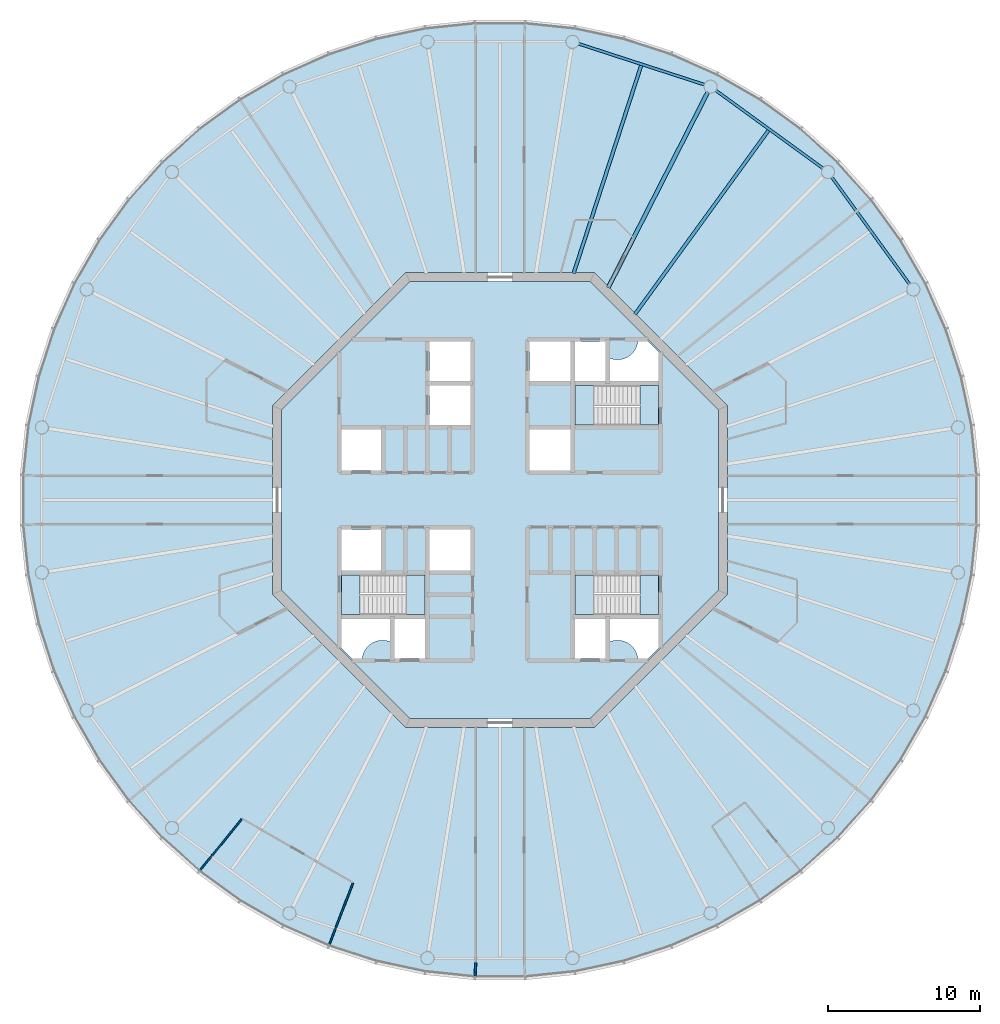
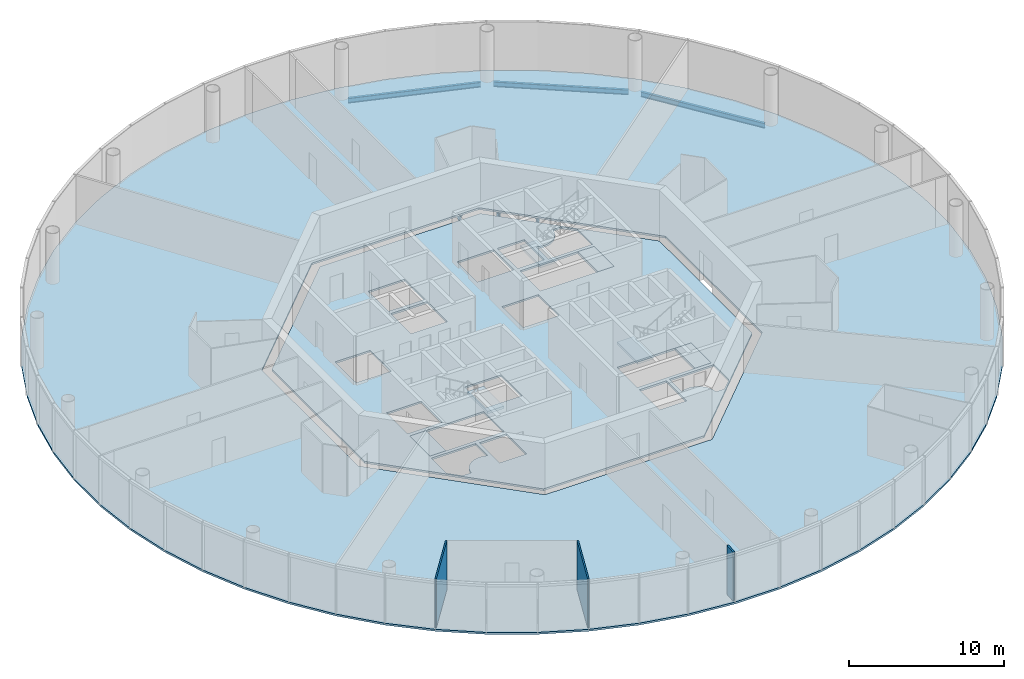
# One storey, part 2 of 13: 8 slabs, 6 beams, 3 walls, 3 elements without a shape of their own.
"""IFC4 building model written with IfcOpenShell, lengths in metres."""

from ifc_helpers import new_model, si_unit, direction, frame, frame_2d, origin, origin_2d, place, context, subcontext, project, spatial, polyline, rectangle, i_section, outline, extrude, material, layer, layer_set, material_profile, profile_set, type_object, element, aggregate, save


model = new_model("IFC4")

# Units and contexts
model_context = context("Model", 3, precision=1e-05, world=origin(), true_north=direction((0.0, 1.0)))
body_context = subcontext(model_context, "Body", "Model", "MODEL_VIEW")
ifc_project = project(units=[si_unit("LENGTHUNIT", "METRE"), si_unit("AREAUNIT", "SQUARE_METRE"), si_unit("VOLUMEUNIT", "CUBIC_METRE"), si_unit("PLANEANGLEUNIT", "RADIAN"), si_unit("MASSUNIT", "GRAM", prefix="KILO")], contexts=[model_context])

# Site, building, storey
site_placement = place(None, origin())
site = spatial("IfcSite", under=ifc_project, at=site_placement, CompositionType="ELEMENT")
building_placement = place(site_placement, origin())
building = spatial("IfcBuilding", under=site, at=building_placement, Name="Entoto Ring Tower", CompositionType="ELEMENT")
storey_placement = place(building_placement, frame((0.0, 0.0, 340.0)))
storey = spatial("IfcBuildingStorey", under=building, at=storey_placement, Name="L78", CompositionType="ELEMENT", Elevation=340.0)

# Beams
ifc_material_1 = material(Name="Steel S355", Category="steel")
ifc_material_profile_1 = material_profile(ifc_material_1, i_section(OverallWidth=0.179931640625, OverallDepth=0.39990234375, WebThickness=0.008544921875, FlangeThickness=0.013427734375, FilletRadius=0.02099609375, at=origin_2d()), Name="IPE 400")
ifc_profile_set_1 = profile_set([ifc_material_profile_1], Name="Steel S355")
beam_type_1 = type_object("IfcBeamType", Name="Edge beam IPE 400", PredefinedType="SPANDREL", material=ifc_profile_set_1)
for number, where, z_axis, x_axis, name in (
    (1, (117.017333984375, 94.232666015625, -0.35009765625), (-0.587794254874, 0.80901045354, 0.0), (-0.80901045354, -0.587794254874, 0.0), "Edge beam L78 02"),
    (2, (111.296875, 101.884765625, -0.35009765625), (-0.80901045354, 0.587794254874, 0.0), (-0.587794254874, -0.80901045354, 0.0), "Edge beam L78 03"),
):
    element("IfcBeam", number, at=place(storey_placement, frame(where, z_axis=z_axis, x_axis=x_axis)), inside=storey, type_object=beam_type_1, Name=name, PredefinedType="SPANDREL", context=body_context, shape_type="SweptSolid", body=[
        extrude(i_section(OverallWidth=0.179931640625, OverallDepth=0.39990234375, WebThickness=0.008544921875, FlangeThickness=0.013427734375, FilletRadius=0.02099609375, at=origin_2d()), origin(), (0.0, 0.0, 1.0), 8.73193359375),
    ])
beam_1_placement = place(storey_placement, frame((103.491943359375, 107.394775390625, -0.35009765625), z_axis=(-0.951052147972, 0.309030438368, 0.0), x_axis=(-0.309030438368, -0.951052147972, 0.0)))
element("IfcBeam", 3, at=beam_1_placement, inside=storey, type_object=beam_type_1, Name="Edge beam L78 04", PredefinedType="SPANDREL", context=body_context, shape_type="SweptSolid", body=[
    extrude(i_section(OverallWidth=0.179931640625, OverallDepth=0.39990234375, WebThickness=0.008544921875, FlangeThickness=0.013427734375, FilletRadius=0.02099609375, at=origin_2d()), origin(), (0.0, 0.0, 1.0), 8.732177734375),
])
ifc_material_2 = material(Name="Steel S355", Category="steel")
ifc_material_profile_2 = material_profile(ifc_material_2, i_section(OverallWidth=0.262939453125, OverallDepth=0.7529296875, WebThickness=0.011474609375, FlangeThickness=0.01708984375, FilletRadius=0.01708984375, at=origin_2d()), Name="IPE 750 x 137")
ifc_profile_set_2 = profile_set([ifc_material_profile_2], Name="Steel S355")
beam_type_2 = type_object("IfcBeamType", Name="Primary floor beam IPE 750 x 137", PredefinedType="BEAM", material=ifc_profile_set_2)
beam_2_placement = place(storey_placement, frame((97.1318359375, 93.9970703125, -0.526611328125), z_axis=(0.453991952968, 0.89100578373, 0.0), x_axis=(-0.89100578373, 0.453991952968, 0.0)))
element("IfcBeam", 4, at=beam_2_placement, inside=storey, type_object=beam_type_2, Name="Primary L78 R04", PredefinedType="BEAM", context=body_context, shape_type="SweptSolid", body=[
    extrude(i_section(OverallWidth=0.262939453125, OverallDepth=0.7529296875, WebThickness=0.011474609375, FlangeThickness=0.01708984375, FilletRadius=0.01708984375, at=origin_2d()), origin(), (0.0, 0.0, 1.0), 14.48046875),
])
ifc_material_3 = material(Name="Steel S355", Category="steel")
ifc_material_profile_3 = material_profile(ifc_material_3, i_section(OverallWidth=0.219970703125, OverallDepth=0.60009765625, WebThickness=0.011962890625, FlangeThickness=0.01904296875, FilletRadius=0.02392578125, at=origin_2d()), Name="IPE 600")
ifc_profile_set_3 = profile_set([ifc_material_profile_3], Name="Steel S355")
beam_type_3 = type_object("IfcBeamType", Name="Secondary floor beam IPE 600", PredefinedType="JOIST", material=ifc_profile_set_3)
beam_3_placement = place(storey_placement, frame((98.90478515625, 92.25634765625, -0.449951171875), z_axis=(0.587782163866, 0.809019238239, 0.0), x_axis=(-0.809019238239, 0.587782163866, 0.0)))
element("IfcBeam", 5, at=beam_3_placement, inside=storey, type_object=beam_type_3, Name="Secondary beam L78 03", PredefinedType="JOIST", context=body_context, shape_type="SweptSolid", body=[
    extrude(i_section(OverallWidth=0.219970703125, OverallDepth=0.60009765625, WebThickness=0.011962890625, FlangeThickness=0.01904296875, FilletRadius=0.02392578125, at=origin_2d()), origin(), (0.0, 0.0, 1.0), 14.983642578125),
])
beam_4_placement = place(storey_placement, frame((94.856689453125, 94.947021484375, -0.449951171875), z_axis=(0.309014850288, 0.951057212949, 0.0), x_axis=(-0.951057212949, 0.309014850288, 0.0)))
element("IfcBeam", 6, at=beam_4_placement, inside=storey, type_object=beam_type_3, Name="Secondary beam L78 04", PredefinedType="JOIST", context=body_context, shape_type="SweptSolid", body=[
    extrude(i_section(OverallWidth=0.219970703125, OverallDepth=0.60009765625, WebThickness=0.011962890625, FlangeThickness=0.01904296875, FilletRadius=0.02392578125, at=origin_2d()), origin(), (0.0, 0.0, 1.0), 14.4169921875),
])

# Slabs
ifc_material_4 = material(Name="Concrete C30/37", Category="concrete")
ifc_layer_1 = layer(ifc_material_4, 0.14990234375)
ifc_layer_set_1 = layer_set([ifc_layer_1], Name="Concrete C30/37")
slab_type_1 = type_object("IfcSlabType", Name="Composite floor slab 150 mm", PredefinedType="FLOOR", material=ifc_layer_set_1)
slab_1_placement = place(storey_placement, frame((0.0, 0.0, -0.14990234375)))
element("IfcSlab", 7, at=slab_1_placement, inside=storey, type_object=slab_type_1, Name="Floor slab L78", PredefinedType="FLOOR", context=body_context, shape_type="SweptSolid", body=[
    extrude(outline(polyline([(121.2109375, 84.943359375), (120.523193359375, 88.1787109375), (119.501220703125, 91.324462890625), (118.15576171875, 94.34619140625), (116.501953125, 97.210693359375), (114.557861328125, 99.886474609375), (112.344482421875, 102.344482421875), (109.886474609375, 104.557861328125), (107.210693359375, 106.501953125), (104.34619140625, 108.15576171875), (101.324462890625, 109.501220703125), (98.1787109375, 110.523193359375), (94.943359375, 111.2109375), (91.65380859375, 111.556640625), (88.34619140625, 111.556640625), (85.056640625, 111.2109375), (81.8212890625, 110.523193359375), (78.675537109375, 109.501220703125), (75.65380859375, 108.15576171875), (72.789306640625, 106.501953125), (70.113525390625, 104.557861328125), (67.655517578125, 102.344482421875), (65.442138671875, 99.886474609375), (63.498046875, 97.210693359375), (61.84423828125, 94.34619140625), (60.498779296875, 91.324462890625), (59.476806640625, 88.1787109375), (58.7890625, 84.943359375), (58.443359375, 81.65380859375), (58.443359375, 78.34619140625), (58.7890625, 75.056640625), (59.476806640625, 71.8212890625), (60.498779296875, 68.675537109375), (61.84423828125, 65.65380859375), (63.498046875, 62.789306640625), (65.442138671875, 60.113525390625), (67.655517578125, 57.655517578125), (70.113525390625, 55.442138671875), (72.789306640625, 53.498046875), (75.65380859375, 51.84423828125), (78.675537109375, 50.498779296875), (81.8212890625, 49.476806640625), (85.056640625, 48.7890625), (88.34619140625, 48.443359375), (91.65380859375, 48.443359375), (94.943359375, 48.7890625), (98.1787109375, 49.476806640625), (101.324462890625, 50.498779296875), (104.34619140625, 51.84423828125), (107.210693359375, 53.498046875), (109.886474609375, 55.442138671875), (112.344482421875, 57.655517578125), (114.557861328125, 60.113525390625), (116.501953125, 62.789306640625), (118.15576171875, 65.65380859375), (119.501220703125, 68.675537109375), (120.523193359375, 71.8212890625), (121.2109375, 75.056640625), (121.556640625, 78.34619140625), (121.556640625, 81.65380859375), (121.2109375, 84.943359375)]), holes=[polyline([(105.0, 73.786865234375), (105.0, 86.213134765625), (96.213134765625, 95.0), (83.786865234375, 95.0), (75.0, 86.213134765625), (75.0, 73.786865234375), (83.786865234375, 65.0), (96.213134765625, 65.0), (105.0, 73.786865234375)])]), origin(), (0.0, 0.0, 1.0), 0.14990234375),
])
ifc_material_5 = material(Name="Concrete C40/50", Category="concrete")
ifc_layer_2 = layer(ifc_material_5, 0.14990234375)
ifc_layer_set_2 = layer_set([ifc_layer_2], Name="Concrete C40/50")
slab_type_2 = type_object("IfcSlabType", Name="Core floor slab 150 mm reinforced concrete C40/50", PredefinedType="FLOOR", material=ifc_layer_set_2)
slab_2_placement = place(storey_placement, frame((0.0, 0.0, -0.14990234375)))
element("IfcSlab", 8, at=slab_2_placement, inside=storey, type_object=slab_type_2, Name="Core floor L78", PredefinedType="FLOOR", context=body_context, shape_type="SweptSolid", body=[
    extrude(outline(polyline([(104.39990234375, 74.035400390625), (104.39990234375, 85.964599609375), (95.964599609375, 94.39990234375), (84.035400390625, 94.39990234375), (75.60009765625, 85.964599609375), (75.60009765625, 74.035400390625), (84.035400390625, 65.60009765625), (95.964599609375, 65.60009765625), (104.39990234375, 74.035400390625)]), holes=[polyline([(100.449951171875, 84.949951171875), (100.449951171875, 87.550048828125), (94.949951171875, 87.550048828125), (94.949951171875, 84.949951171875), (100.449951171875, 84.949951171875)]), polyline([(85.050048828125, 72.449951171875), (85.050048828125, 75.050048828125), (79.550048828125, 75.050048828125), (79.550048828125, 72.449951171875), (85.050048828125, 72.449951171875)]), polyline([(100.449951171875, 72.449951171875), (100.449951171875, 75.050048828125), (94.949951171875, 75.050048828125), (94.949951171875, 72.449951171875), (100.449951171875, 72.449951171875)]), polyline([(94.949951171875, 90.449951171875), (94.949951171875, 87.85009765625), (96.949951171875, 87.85009765625), (96.949951171875, 90.449951171875), (94.949951171875, 90.449951171875)]), polyline([(94.949951171875, 72.14990234375), (94.949951171875, 69.550048828125), (96.949951171875, 69.550048828125), (96.949951171875, 72.14990234375), (94.949951171875, 72.14990234375)]), polyline([(83.050048828125, 72.14990234375), (83.050048828125, 69.550048828125), (85.050048828125, 69.550048828125), (85.050048828125, 72.14990234375), (83.050048828125, 72.14990234375)]), polyline([(79.550048828125, 81.949951171875), (82.14990234375, 81.949951171875), (82.14990234375, 84.64990234375), (79.550048828125, 84.64990234375), (79.550048828125, 81.949951171875)]), polyline([(79.550048828125, 75.35009765625), (82.14990234375, 75.35009765625), (82.14990234375, 78.050048828125), (79.550048828125, 78.050048828125), (79.550048828125, 75.35009765625)]), polyline([(91.949951171875, 87.85009765625), (94.64990234375, 87.85009765625), (94.64990234375, 90.449951171875), (91.949951171875, 90.449951171875), (91.949951171875, 87.85009765625)]), polyline([(91.949951171875, 81.949951171875), (94.64990234375, 81.949951171875), (94.64990234375, 84.64990234375), (91.949951171875, 84.64990234375), (91.949951171875, 81.949951171875)]), polyline([(85.35009765625, 75.35009765625), (88.050048828125, 75.35009765625), (88.050048828125, 78.050048828125), (85.35009765625, 78.050048828125), (85.35009765625, 75.35009765625)]), polyline([(85.35009765625, 84.949951171875), (88.050048828125, 84.949951171875), (88.050048828125, 87.550048828125), (85.35009765625, 87.550048828125), (85.35009765625, 84.949951171875)]), polyline([(85.35009765625, 87.85009765625), (88.050048828125, 87.85009765625), (88.050048828125, 90.449951171875), (85.35009765625, 90.449951171875), (85.35009765625, 87.85009765625)]), polyline([(97.199951171875, 89.368408203125), (97.199951171875, 87.800048828125), (100.5, 87.800048828125), (100.5, 89.723388671875), (99.723388671875, 90.5), (99.09521484375, 90.5), (99.093505859375, 90.4677734375), (99.07421875, 90.336669921875), (99.0419921875, 90.2080078125), (98.997314453125, 90.08349609375), (98.940673828125, 89.963623046875), (98.87255859375, 89.85009765625), (98.793701171875, 89.74365234375), (98.70458984375, 89.6455078125), (98.6064453125, 89.556396484375), (98.5, 89.4775390625), (98.386474609375, 89.409423828125), (98.2666015625, 89.352783203125), (98.141845703125, 89.30810546875), (98.013427734375, 89.27587890625), (97.88232421875, 89.256591796875), (97.75, 89.25), (97.61767578125, 89.256591796875), (97.486572265625, 89.27587890625), (97.358154296875, 89.30810546875), (97.2333984375, 89.352783203125), (97.199951171875, 89.368408203125)]), polyline([(80.276611328125, 69.5), (80.90478515625, 69.5), (80.906494140625, 69.5322265625), (80.92578125, 69.663330078125), (80.9580078125, 69.7919921875), (81.002685546875, 69.91650390625), (81.059326171875, 70.036376953125), (81.12744140625, 70.14990234375), (81.206298828125, 70.25634765625), (81.29541015625, 70.3544921875), (81.3935546875, 70.443603515625), (81.5, 70.5224609375), (81.613525390625, 70.590576171875), (81.7333984375, 70.647216796875), (81.858154296875, 70.69189453125), (81.986572265625, 70.72412109375), (82.11767578125, 70.743408203125), (82.25, 70.75), (82.38232421875, 70.743408203125), (82.513427734375, 70.72412109375), (82.641845703125, 70.69189453125), (82.7666015625, 70.647216796875), (82.800048828125, 70.631591796875), (82.800048828125, 72.199951171875), (79.5, 72.199951171875), (79.5, 70.276611328125), (80.276611328125, 69.5)]), polyline([(99.09521484375, 69.5), (99.723388671875, 69.5), (100.5, 70.276611328125), (100.5, 72.199951171875), (97.199951171875, 72.199951171875), (97.199951171875, 70.631591796875), (97.2333984375, 70.647216796875), (97.358154296875, 70.69189453125), (97.486572265625, 70.72412109375), (97.61767578125, 70.743408203125), (97.75, 70.75), (97.88232421875, 70.743408203125), (98.013427734375, 70.72412109375), (98.141845703125, 70.69189453125), (98.2666015625, 70.647216796875), (98.386474609375, 70.590576171875), (98.5, 70.5224609375), (98.6064453125, 70.443603515625), (98.70458984375, 70.3544921875), (98.793701171875, 70.25634765625), (98.87255859375, 70.14990234375), (98.940673828125, 70.036376953125), (98.997314453125, 69.91650390625), (99.0419921875, 69.7919921875), (99.07421875, 69.663330078125), (99.093505859375, 69.5322265625), (99.09521484375, 69.5)])]), origin(), (0.0, 0.0, 1.0), 0.14990234375),
])

# Stair, slabs
ifc_material_6 = material(Name="Concrete C40/50", Category="concrete")
stair_type = type_object("IfcStairType", Name="Exit stair 1200 mm dog-leg reinforced concrete", PredefinedType="HALF_TURN_STAIR", material=ifc_material_6)
stair_1_placement = place(storey_placement, origin())
stair_1 = element("IfcStair", 9, at=stair_1_placement, inside=storey, type_object=stair_type, Name="Exit stair 1", PredefinedType="HALF_TURN_STAIR")
ifc_material_7 = material(Name="Concrete C40/50", Category="concrete")
ifc_layer_3 = layer(ifc_material_7, 0.199951171875)
ifc_layer_set_3 = layer_set([ifc_layer_3], Name="Concrete C40/50")
slab_type_3 = type_object("IfcSlabType", Name="Stair landing 200 mm reinforced concrete", PredefinedType="LANDING", material=ifc_layer_set_3)
slab_3_placement = place(storey_placement, frame((0.0, 0.0, -0.199951171875)))
slab_3 = element("IfcSlab", 10, at=slab_3_placement, type_object=slab_type_3, Name="ST1 landing 1", PredefinedType="LANDING", context=body_context, shape_type="SweptSolid", body=[
    extrude(outline(polyline([(100.449951171875, 84.949951171875), (100.449951171875, 87.550048828125), (99.25, 87.550048828125), (99.25, 84.949951171875), (100.449951171875, 84.949951171875)])), origin(), (0.0, 0.0, 1.0), 0.199951171875),
])
slab_4_placement = place(storey_placement, frame((0.0, 0.0, 1.800048828125)))
slab_4 = element("IfcSlab", 11, at=slab_4_placement, type_object=slab_type_3, Name="ST1 landing 2", PredefinedType="LANDING", context=body_context, shape_type="SweptSolid", body=[
    extrude(outline(polyline([(94.949951171875, 84.949951171875), (96.169921875, 84.949951171875), (96.169921875, 87.550048828125), (94.949951171875, 87.550048828125), (94.949951171875, 84.949951171875)])), origin(), (0.0, 0.0, 1.0), 0.199951171875),
])
aggregate(stair_1, [slab_3, slab_4])

stair_2_placement = place(storey_placement, origin())
stair_2 = element("IfcStair", 12, at=stair_2_placement, inside=storey, type_object=stair_type, Name="Exit stair 2", PredefinedType="HALF_TURN_STAIR")
slab_5_placement = place(storey_placement, frame((0.0, 0.0, -0.199951171875)))
slab_5 = element("IfcSlab", 13, at=slab_5_placement, type_object=slab_type_3, Name="ST2 landing 1", PredefinedType="LANDING", context=body_context, shape_type="SweptSolid", body=[
    extrude(outline(polyline([(80.75, 72.449951171875), (80.75, 75.050048828125), (79.550048828125, 75.050048828125), (79.550048828125, 72.449951171875), (80.75, 72.449951171875)])), origin(), (0.0, 0.0, 1.0), 0.199951171875),
])
slab_6_placement = place(storey_placement, frame((0.0, 0.0, 1.800048828125)))
slab_6 = element("IfcSlab", 14, at=slab_6_placement, type_object=slab_type_3, Name="ST2 landing 2", PredefinedType="LANDING", context=body_context, shape_type="SweptSolid", body=[
    extrude(outline(polyline([(83.830078125, 72.449951171875), (85.050048828125, 72.449951171875), (85.050048828125, 75.050048828125), (83.830078125, 75.050048828125), (83.830078125, 72.449951171875)])), origin(), (0.0, 0.0, 1.0), 0.199951171875),
])
aggregate(stair_2, [slab_5, slab_6])

stair_3_placement = place(storey_placement, origin())
stair_3 = element("IfcStair", 15, at=stair_3_placement, inside=storey, type_object=stair_type, Name="Exit stair 3", PredefinedType="HALF_TURN_STAIR")
slab_7_placement = place(storey_placement, frame((0.0, 0.0, -0.199951171875)))
slab_7 = element("IfcSlab", 16, at=slab_7_placement, type_object=slab_type_3, Name="ST3 landing 1", PredefinedType="LANDING", context=body_context, shape_type="SweptSolid", body=[
    extrude(outline(polyline([(100.449951171875, 72.449951171875), (100.449951171875, 75.050048828125), (99.25, 75.050048828125), (99.25, 72.449951171875), (100.449951171875, 72.449951171875)])), origin(), (0.0, 0.0, 1.0), 0.199951171875),
])
slab_8_placement = place(storey_placement, frame((0.0, 0.0, 1.800048828125)))
slab_8 = element("IfcSlab", 17, at=slab_8_placement, type_object=slab_type_3, Name="ST3 landing 2", PredefinedType="LANDING", context=body_context, shape_type="SweptSolid", body=[
    extrude(outline(polyline([(94.949951171875, 72.449951171875), (96.169921875, 72.449951171875), (96.169921875, 75.050048828125), (94.949951171875, 75.050048828125), (94.949951171875, 72.449951171875)])), origin(), (0.0, 0.0, 1.0), 0.199951171875),
])
aggregate(stair_3, [slab_7, slab_8])

# Walls
ifc_material_8 = material(Name="Fire-resisting plasterboard on steel studs", Category="steel")
ifc_layer_4 = layer(ifc_material_8, 0.125)
ifc_layer_set_4 = layer_set([ifc_layer_4], Name="Fire-resisting plasterboard on steel studs")
wall_type_1 = type_object("IfcWallType", Name="Corridor wall 125 mm one-hour plasterboard on steel studs", PredefinedType="PARTITIONING", material=ifc_layer_set_4)
wall_placement = place(storey_placement, frame((88.3544921875, 48.60302734375, 0.0), z_axis=(0.0, 0.0, 1.0), x_axis=(0.052499574911, 0.998620946423, 0.0)))
element("IfcWall", 18, at=wall_placement, inside=storey, type_object=wall_type_1, Name="partition-L78-011", PredefinedType="PARTITIONING", context=body_context, shape_type="SweptSolid", body=[
    extrude(rectangle(XDim=0.864990234375, YDim=0.125, at=frame_2d((0.4326171875, 0.0))), origin(), (0.0, 0.0, 1.0), 3.85009765625),
])
ifc_material_9 = material(Name="Plasterboard on steel studs", Category="steel")
ifc_layer_5 = layer(ifc_material_9, 0.10009765625)
ifc_layer_set_5 = layer_set([ifc_layer_5], Name="Plasterboard on steel studs")
wall_type_2 = type_object("IfcWallType", Name="Partition 100 mm plasterboard on steel studs", PredefinedType="PARTITIONING", material=ifc_layer_set_5)
for number, where, z_axis, x_axis, name in (
    (19, (78.73291015625, 50.648193359375, 0.0), (0.0, 0.0, 1.0), (0.358351029591, 0.933586921283, 0.0), "partition-L78-028"),
    (20, (70.214111328125, 55.56640625, 0.0), (0.0, 0.0, 1.0), (0.629303145866, 0.777159926014, 0.0), "partition-L78-029"),
):
    element("IfcWall", number, at=place(storey_placement, frame(where, z_axis=z_axis, x_axis=x_axis)), inside=storey, type_object=wall_type_2, Name=name, PredefinedType="PARTITIONING", context=body_context, shape_type="SweptSolid", body=[
        extrude(rectangle(XDim=4.350830078125, YDim=0.10009765625, at=frame_2d((2.17529296875, 0.0))), origin(), (0.0, 0.0, 1.0), 3.85009765625),
    ])

save(model, "model.ifc")
